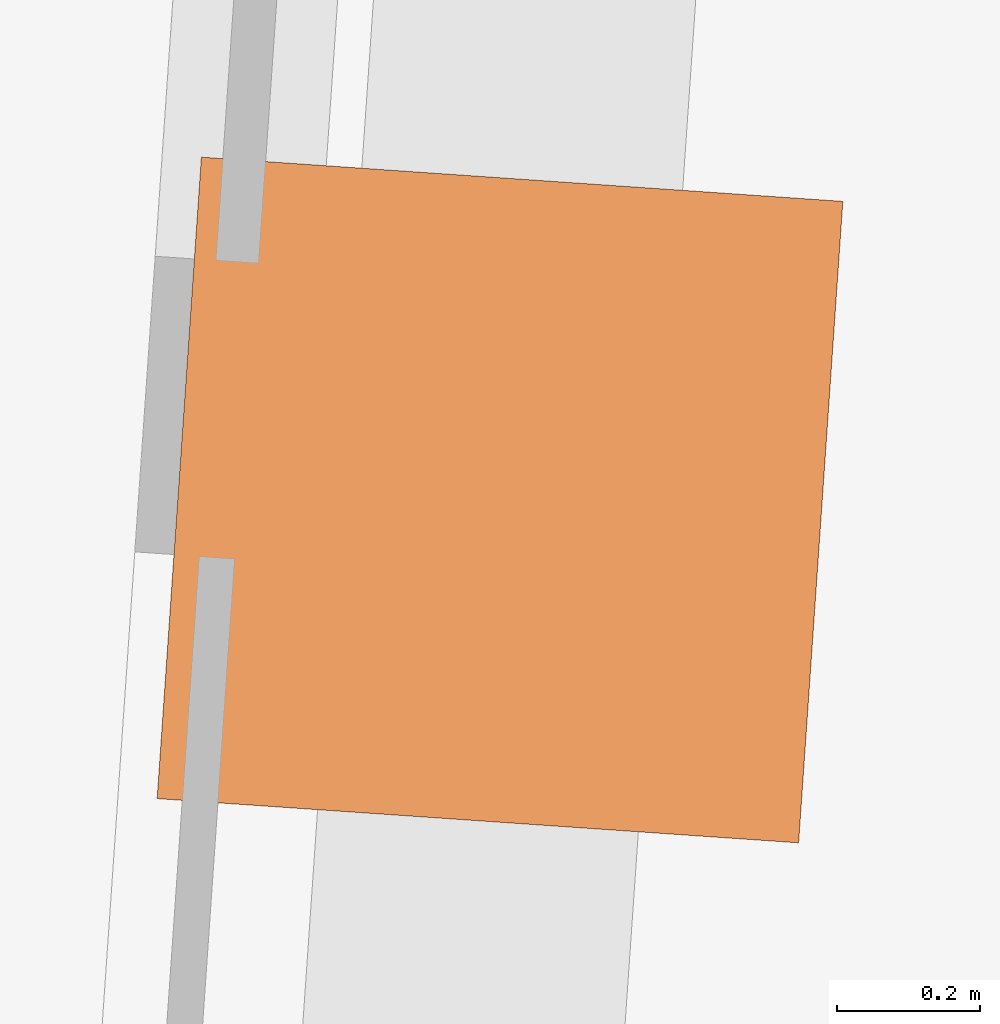
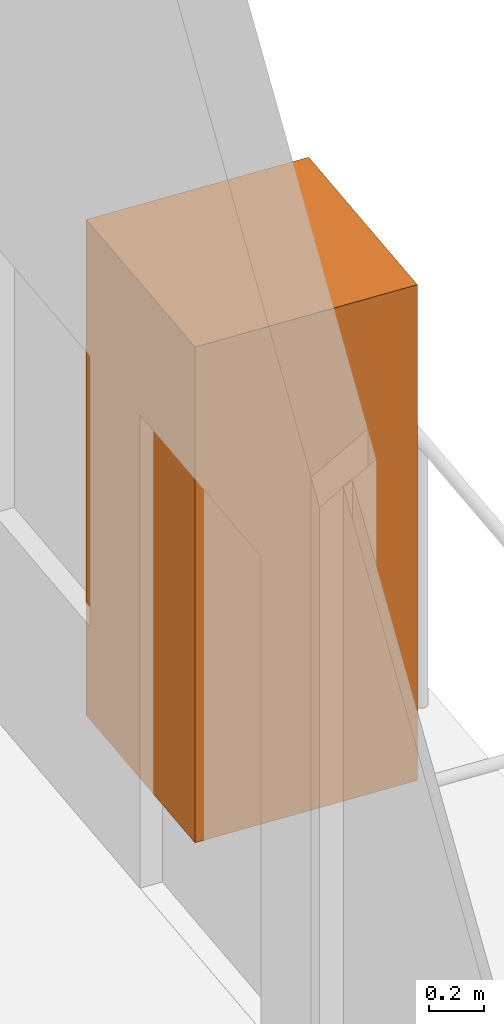
# One storey, part 15 of 15: 1 geographic element.
"""IFC4 building model written with IfcOpenShell, lengths in metres."""

from ifc_helpers import new_model, si_unit, direction, frame, origin, origin_2d, place, context, subcontext, project, spatial, rectangle, extrude, material, type_object, element, save


model = new_model("IFC4")

# Units and contexts
model_context = context("Model", 3, precision=1e-05, world=origin(), true_north=direction((0.0, 1.0)))
body_context = subcontext(model_context, "Body", "Model", "MODEL_VIEW")
ifc_project = project(units=[si_unit("LENGTHUNIT", "METRE"), si_unit("AREAUNIT", "SQUARE_METRE"), si_unit("VOLUMEUNIT", "CUBIC_METRE"), si_unit("PLANEANGLEUNIT", "RADIAN"), si_unit("MASSUNIT", "GRAM", prefix="KILO")], contexts=[model_context])

# Site, building, storey
site_placement = place(None, origin())
site = spatial("IfcSite", under=ifc_project, at=site_placement, CompositionType="ELEMENT")
building_placement = place(site_placement, origin())
building = spatial("IfcBuilding", under=site, at=building_placement, Name="Verdant Reach Tower", CompositionType="ELEMENT")
storey_placement = place(building_placement, frame((0.0, 0.0, 334.0)))
storey = spatial("IfcBuildingStorey", under=building, at=storey_placement, Name="L77", CompositionType="ELEMENT", Elevation=334.0)

# Geographic element
ifc_material = material(Name="Planting")
geographic_element_type = type_object("IfcGeographicElementType", Name="EN-TREE", PredefinedType="USERDEFINED", material=ifc_material)
geographic_element_placement = place(storey_placement, frame((21.218017578125, 55.197509765625, 0.39990234375), z_axis=(0.0, 0.0, 1.0), x_axis=(0.068802091615, 0.997630328423, 0.0)))
element("IfcGeographicElement", 1, at=geographic_element_placement, inside=storey, type_object=geographic_element_type, Name="Balcony tree, Yellow trumpet tree (Handroanthus albus), L77 1", ObjectType="TREE", PredefinedType="USERDEFINED", context=body_context, shape_type="SweptSolid", body=[
    extrude(rectangle(XDim=0.89990234375, YDim=0.89990234375, at=origin_2d()), origin(), (0.0, 0.0, 1.0), 2.199951171875),
])

save(model, "model.ifc")
